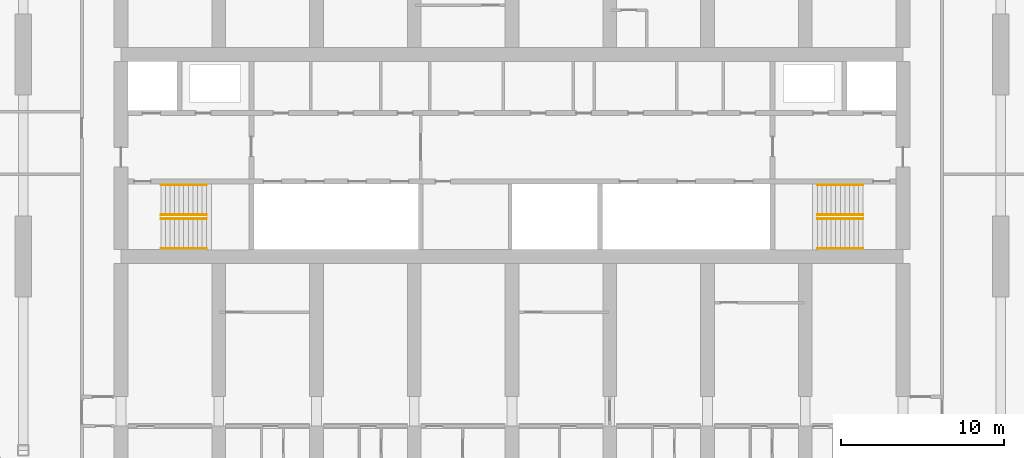
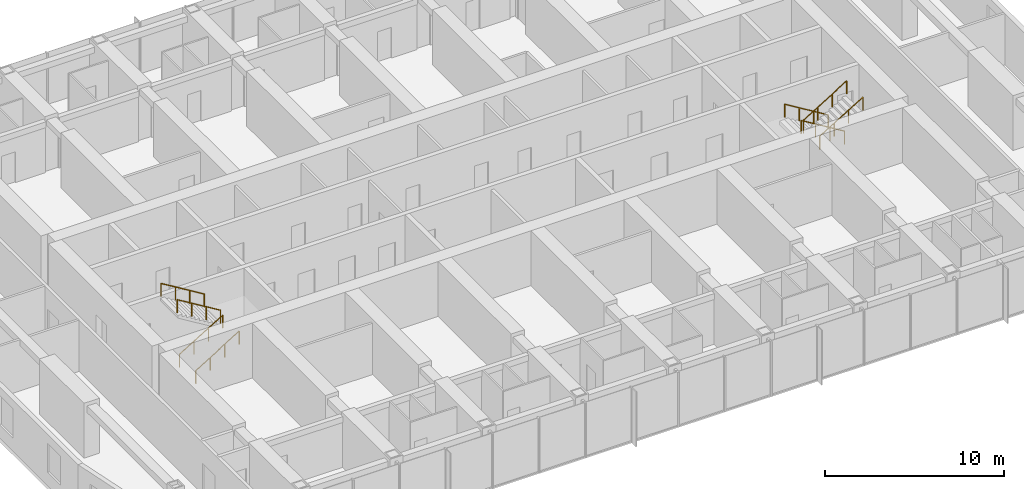
# One storey, part 22 of 22: 8 railings.
"""IFC4 building model written with IfcOpenShell, lengths in metres."""

from ifc_helpers import new_model, si_unit, direction, frame, origin, origin_2d, place, context, subcontext, project, spatial, circle, extrude, material, type_object, element, save


model = new_model("IFC4")

# Units and contexts
model_context = context("Model", 3, precision=1e-05, world=origin(), true_north=direction((0.0, 1.0)))
body_context = subcontext(model_context, "Body", "Model", "MODEL_VIEW")
ifc_project = project(units=[si_unit("LENGTHUNIT", "METRE"), si_unit("AREAUNIT", "SQUARE_METRE"), si_unit("VOLUMEUNIT", "CUBIC_METRE"), si_unit("PLANEANGLEUNIT", "RADIAN"), si_unit("MASSUNIT", "GRAM", prefix="KILO")], contexts=[model_context])

# Site, building, storey
site_placement = place(None, origin())
site = spatial("IfcSite", under=ifc_project, at=site_placement, CompositionType="ELEMENT")
building_placement = place(site_placement, origin())
building = spatial("IfcBuilding", under=site, at=building_placement, Name="Orbita Commons", CompositionType="ELEMENT")
storey_placement = place(building_placement, frame((0.0, 0.0, 186.10009765625)))
storey = spatial("IfcBuildingStorey", under=building, at=storey_placement, Name="L46", CompositionType="ELEMENT", Elevation=186.10009765625)

# Railings
ifc_material = material(Name="Steel tube, painted", Category="steel")
railing_type = type_object("IfcRailingType", Name="Stair handrail steel tube 900", PredefinedType="HANDRAIL", material=ifc_material)
for number, where, name in (
    (1, (20.449951171875, 28.114990234375, 0.17041015625), "Stair S1 handrail L46 flight 1"),
    (2, (20.449951171875, 26.284912109375, 0.17041015625), "Stair S1 handrail L46 flight 1"),
):
    element("IfcRailing", number, at=place(storey_placement, frame(where)), inside=storey, type_object=railing_type, Name=name, PredefinedType="HANDRAIL", context=body_context, shape_type="SweptSolid", body=[
        extrude(circle(Radius=0.02099609375, at=origin_2d()), frame((0.0, 0.0, 0.87890625), z_axis=(0.854169791009, 0.0, 0.51999420009), x_axis=(0.0, 1.0, 0.0)), (0.0, 0.0, 1.0), 3.278076171875),
        extrude(circle(Radius=0.02001953125, at=origin_2d()), origin(), (0.0, 0.0, 1.0), 0.85791015625),
        extrude(circle(Radius=0.02001953125, at=origin_2d()), frame((0.933349609375, 0.0, 0.568115234375)), (0.0, 0.0, 1.0), 0.85791015625),
        extrude(circle(Radius=0.02001953125, at=origin_2d()), frame((1.86669921875, 0.0, 1.136474609375)), (0.0, 0.0, 1.0), 0.85791015625),
        extrude(circle(Radius=0.02001953125, at=origin_2d()), frame((2.800048828125, 0.0, 1.70458984375)), (0.0, 0.0, 1.0), 0.85791015625),
    ])
for number, where, name in (
    (3, (23.25, 28.360107421875, 2.04541015625), "Stair S1 handrail L46 flight 2"),
    (4, (23.25, 30.18994140625, 2.04541015625), "Stair S1 handrail L46 flight 2"),
    (5, (63.550048828125, 28.360107421875, 0.17041015625), "Stair S2 handrail L46 flight 1"),
    (6, (63.550048828125, 30.18994140625, 0.17041015625), "Stair S2 handrail L46 flight 1"),
):
    element("IfcRailing", number, at=place(storey_placement, frame(where)), inside=storey, type_object=railing_type, Name=name, PredefinedType="HANDRAIL", context=body_context, shape_type="SweptSolid", body=[
        extrude(circle(Radius=0.02099609375, at=origin_2d()), frame((0.0, 0.0, 0.87890625), z_axis=(-0.854169791009, 0.0, 0.51999420009), x_axis=(0.0, -1.0, 0.0)), (0.0, 0.0, 1.0), 3.278076171875),
        extrude(circle(Radius=0.02001953125, at=origin_2d()), origin(), (0.0, 0.0, 1.0), 0.85791015625),
        extrude(circle(Radius=0.02001953125, at=origin_2d()), frame((-0.933349609375, 0.0, 0.568115234375)), (0.0, 0.0, 1.0), 0.85791015625),
        extrude(circle(Radius=0.02001953125, at=origin_2d()), frame((-1.86669921875, 0.0, 1.136474609375)), (0.0, 0.0, 1.0), 0.85791015625),
        extrude(circle(Radius=0.02001953125, at=origin_2d()), frame((-2.800048828125, 0.0, 1.70458984375)), (0.0, 0.0, 1.0), 0.85791015625),
    ])
for number, where, name in (
    (7, (60.75, 28.114990234375, 2.04541015625), "Stair S2 handrail L46 flight 2"),
    (8, (60.75, 26.284912109375, 2.04541015625), "Stair S2 handrail L46 flight 2"),
):
    element("IfcRailing", number, at=place(storey_placement, frame(where)), inside=storey, type_object=railing_type, Name=name, PredefinedType="HANDRAIL", context=body_context, shape_type="SweptSolid", body=[
        extrude(circle(Radius=0.02099609375, at=origin_2d()), frame((0.0, 0.0, 0.87890625), z_axis=(0.854169791009, 0.0, 0.51999420009), x_axis=(0.0, 1.0, 0.0)), (0.0, 0.0, 1.0), 3.278076171875),
        extrude(circle(Radius=0.02001953125, at=origin_2d()), origin(), (0.0, 0.0, 1.0), 0.85791015625),
        extrude(circle(Radius=0.02001953125, at=origin_2d()), frame((0.933349609375, 0.0, 0.568115234375)), (0.0, 0.0, 1.0), 0.85791015625),
        extrude(circle(Radius=0.02001953125, at=origin_2d()), frame((1.86669921875, 0.0, 1.136474609375)), (0.0, 0.0, 1.0), 0.85791015625),
        extrude(circle(Radius=0.02001953125, at=origin_2d()), frame((2.800048828125, 0.0, 1.70458984375)), (0.0, 0.0, 1.0), 0.85791015625),
    ])

save(model, "model.ifc")
